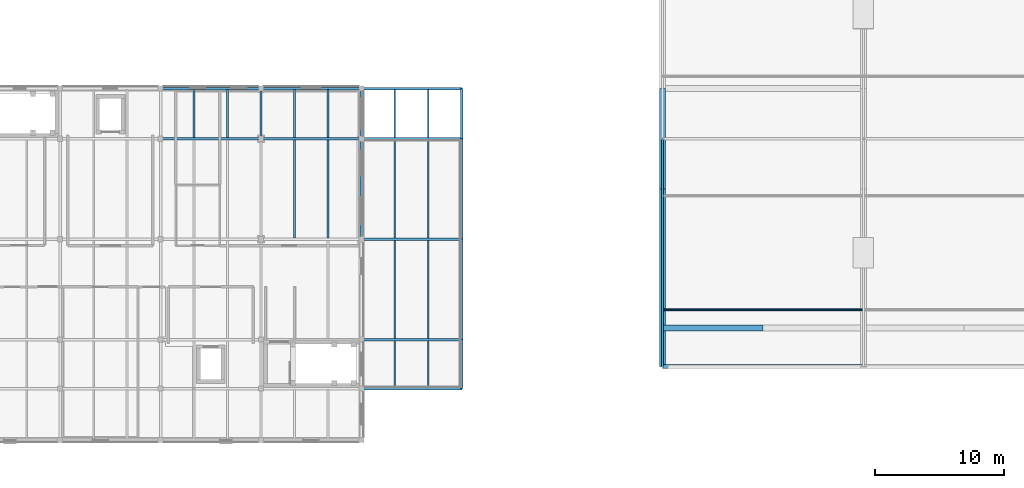
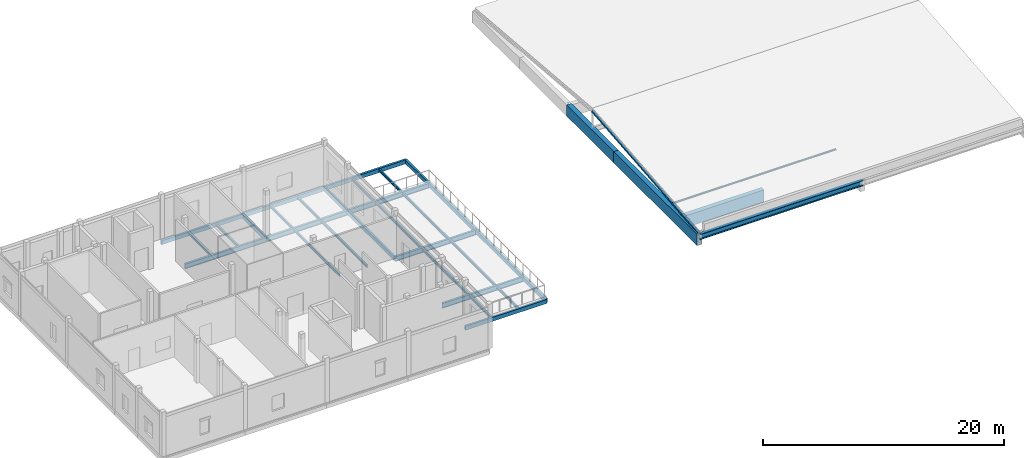
# One storey, part 3 of 45: 34 beams, 2 members.
"""IFC4 building model written with IfcOpenShell, lengths in metres."""

from ifc_helpers import new_model, si_unit, direction, frame, origin, origin_2d, place, context, subcontext, project, spatial, hollow_rectangle, hollow_circle, i_section, extrude, material, material_profile, profile_set, type_object, element, save


model = new_model("IFC4")

# Units and contexts
model_context = context("Model", 3, precision=1e-05, world=origin(), true_north=direction((0.0, 1.0)))
body_context = subcontext(model_context, "Body", "Model", "MODEL_VIEW")
ifc_project = project(units=[si_unit("LENGTHUNIT", "METRE"), si_unit("AREAUNIT", "SQUARE_METRE"), si_unit("VOLUMEUNIT", "CUBIC_METRE"), si_unit("PLANEANGLEUNIT", "RADIAN"), si_unit("MASSUNIT", "GRAM", prefix="KILO")], contexts=[model_context])

# Site, building, storey
site_placement = place(None, origin())
site = spatial("IfcSite", under=ifc_project, at=site_placement, CompositionType="ELEMENT")
building_placement = place(site_placement, origin())
building = spatial("IfcBuilding", under=site, at=building_placement, Name="Celorna Specialist Clinic", CompositionType="ELEMENT")
storey_placement = place(building_placement, frame((0.0, 0.0, 18.60009765625)))
storey = spatial("IfcBuildingStorey", under=building, at=storey_placement, Name="L04", CompositionType="ELEMENT", Elevation=18.60009765625)

# Beams
ifc_material = material(Name="Steel S355", Category="steel")
ifc_material_profile_1 = material_profile(ifc_material, hollow_rectangle(XDim=0.449951171875, YDim=1.14990234375, WallThickness=0.031982421875, at=origin_2d()), Name="BOX 450x1150x32")
ifc_profile_set_1 = profile_set([ifc_material_profile_1], Name="Steel S355")
beam_type_1 = type_object("IfcBeamType", Name="BM-01", PredefinedType="BEAM", material=ifc_profile_set_1)
beam_1_placement = place(storey_placement, frame((54.60009765625, 5.699951171875, -0.735107421875), z_axis=(0.0, 1.0, 0.0), x_axis=(-1.0, 0.0, 0.0)))
element("IfcBeam", 1, at=beam_1_placement, inside=storey, type_object=beam_type_1, Name="Cantilever Pratt truss chord WP-011-WP-012", PredefinedType="BEAM", context=body_context, shape_type="SweptSolid", body=[
    extrude(hollow_rectangle(XDim=0.449951171875, YDim=1.14990234375, WallThickness=0.031982421875, at=origin_2d()), origin(), (0.0, 0.0, 1.0), 13.800048828125),
])
beam_2_placement = place(storey_placement, frame((54.60009765625, 19.5, -0.735107421875), z_axis=(0.0, 1.0, 0.0), x_axis=(-1.0, 0.0, 0.0)))
element("IfcBeam", 2, at=beam_2_placement, inside=storey, type_object=beam_type_1, Name="Cantilever Pratt truss chord WP-012-WP-013", PredefinedType="BEAM", context=body_context, shape_type="SweptSolid", body=[
    extrude(hollow_rectangle(XDim=0.449951171875, YDim=1.14990234375, WallThickness=0.031982421875, at=origin_2d()), origin(), (0.0, 0.0, 1.0), 7.800048828125),
])
ifc_material_profile_2 = material_profile(ifc_material, hollow_rectangle(XDim=0.449951171875, YDim=1.199951171875, WallThickness=0.031982421875, at=origin_2d()), Name="BOX 450x1200x32")
ifc_profile_set_2 = profile_set([ifc_material_profile_2], Name="Steel S355")
beam_type_2 = type_object("IfcBeamType", Name="BM-02", PredefinedType="BEAM", material=ifc_profile_set_2)
beam_3_placement = place(storey_placement, frame((54.60009765625, 8.699951171875, -0.760009765625), z_axis=(1.0, 0.0, 0.0), x_axis=(0.0, 1.0, 0.0)))
element("IfcBeam", 3, at=beam_3_placement, inside=storey, type_object=beam_type_2, Name="Portico transfer box girder BM-02 #11", PredefinedType="BEAM", context=body_context, shape_type="SweptSolid", body=[
    extrude(hollow_rectangle(XDim=0.449951171875, YDim=1.199951171875, WallThickness=0.031982421875, at=origin_2d()), origin(), (0.0, 0.0, 1.0), 7.7998046875),
])
ifc_material_profile_3 = material_profile(ifc_material, i_section(OverallWidth=0.300048828125, OverallDepth=0.550048828125, WebThickness=0.014892578125, FlangeThickness=0.029052734375, at=origin_2d()), Name="HE 550 B")
ifc_profile_set_3 = profile_set([ifc_material_profile_3], Name="Steel S355")
beam_type_3 = type_object("IfcBeamType", Name="BM-04", PredefinedType="BEAM", material=ifc_profile_set_3)
beam_4_placement = place(storey_placement, frame((54.60009765625, 5.699951171875, -0.43505859375), z_axis=(1.0, 0.0, 0.0), x_axis=(0.0, 1.0, 0.0)))
element("IfcBeam", 4, at=beam_4_placement, inside=storey, type_object=beam_type_3, Name="Cantilever nose edge girder BM-04 #5", PredefinedType="BEAM", context=body_context, shape_type="SweptSolid", body=[
    extrude(i_section(OverallWidth=0.300048828125, OverallDepth=0.550048828125, WebThickness=0.014892578125, FlangeThickness=0.029052734375, at=origin_2d()), origin(), (0.0, 0.0, 1.0), 15.599853515625),
])
ifc_material_profile_4 = material_profile(ifc_material, i_section(OverallWidth=0.199951171875, OverallDepth=0.5, WebThickness=0.01025390625, FlangeThickness=0.01611328125, at=origin_2d()), Name="IPE 500")
ifc_profile_set_4 = profile_set([ifc_material_profile_4], Name="Steel S355")
beam_type_4 = type_object("IfcBeamType", Name="BM-08", PredefinedType="BEAM", material=ifc_profile_set_4)
beam_5_placement = place(storey_placement, frame((15.60009765625, 23.39990234375, -0.530029296875), z_axis=(1.0, 0.0, 0.0), x_axis=(0.0, 1.0, 0.0)))
element("IfcBeam", 5, at=beam_5_placement, inside=storey, type_object=beam_type_4, Name="Primary girder BM-08 #1948", PredefinedType="BEAM", context=body_context, shape_type="SweptSolid", body=[
    extrude(i_section(OverallWidth=0.199951171875, OverallDepth=0.5, WebThickness=0.01025390625, FlangeThickness=0.01611328125, at=origin_2d()), origin(), (0.0, 0.0, 1.0), 7.7998046875),
])
for number, where, z_axis, x_axis, name in (
    (6, (23.39990234375, 23.39990234375, -0.530029296875), (1.0, 0.0, 0.0), (0.0, 1.0, 0.0), "Primary girder BM-08 #1949"),
    (7, (31.199951171875, 7.800048828125, -0.510009765625), (1.0, 0.0, 0.0), (0.0, 1.0, 0.0), "Primary girder BM-08 #2392"),
    (8, (31.199951171875, 15.60009765625, -0.510009765625), (1.0, 0.0, 0.0), (0.0, 1.0, 0.0), "Primary girder BM-08 #2393"),
    (9, (31.199951171875, 23.39990234375, -0.510009765625), (1.0, 0.0, 0.0), (0.0, 1.0, 0.0), "Primary girder BM-08 #2394"),
):
    element("IfcBeam", number, at=place(storey_placement, frame(where, z_axis=z_axis, x_axis=x_axis)), inside=storey, type_object=beam_type_4, Name=name, PredefinedType="BEAM", context=body_context, shape_type="SweptSolid", body=[
        extrude(i_section(OverallWidth=0.199951171875, OverallDepth=0.5, WebThickness=0.01025390625, FlangeThickness=0.01611328125, at=origin_2d()), origin(), (0.0, 0.0, 1.0), 7.800048828125),
    ])
ifc_material_profile_5 = material_profile(ifc_material, i_section(OverallWidth=0.18994140625, OverallDepth=0.449951171875, WebThickness=0.009521484375, FlangeThickness=0.0146484375, at=origin_2d()), Name="IPE 450")
ifc_profile_set_5 = profile_set([ifc_material_profile_5], Name="Steel S355")
beam_type_5 = type_object("IfcBeamType", Name="BM-09", PredefinedType="BEAM", material=ifc_profile_set_5)
beam_6_placement = place(storey_placement, frame((23.39990234375, 23.39990234375, -0.505126953125), z_axis=(0.0, 1.0, 0.0), x_axis=(-1.0, 0.0, 0.0)))
element("IfcBeam", 10, at=beam_6_placement, inside=storey, type_object=beam_type_5, Name="Transverse girder BM-09 #1973", PredefinedType="BEAM", context=body_context, shape_type="SweptSolid", body=[
    extrude(i_section(OverallWidth=0.18994140625, OverallDepth=0.449951171875, WebThickness=0.009521484375, FlangeThickness=0.0146484375, at=origin_2d()), origin(), (0.0, 0.0, 1.0), 3.900146484375),
])
ifc_material_profile_6 = material_profile(ifc_material, i_section(OverallWidth=0.135009765625, OverallDepth=0.27001953125, WebThickness=0.006591796875, FlangeThickness=0.01025390625, at=origin_2d()), Name="IPE 270")
ifc_profile_set_6 = profile_set([ifc_material_profile_6], Name="Steel S355")
beam_type_6 = type_object("IfcBeamType", Name="BM-14", PredefinedType="JOIST", material=ifc_profile_set_6)
for number, where, z_axis, x_axis, name in (
    (11, (18.199951171875, 23.488037109375, -0.4150390625), (0.0, 1.0, 0.0), (-1.0, 0.0, 0.0), "Secondary floor joist BM-14 #2005"),
    (12, (20.800048828125, 23.488037109375, -0.4150390625), (0.0, 1.0, 0.0), (-1.0, 0.0, 0.0), "Secondary floor joist BM-14 #2006"),
):
    element("IfcBeam", number, at=place(storey_placement, frame(where, z_axis=z_axis, x_axis=x_axis)), inside=storey, type_object=beam_type_6, Name=name, PredefinedType="JOIST", context=body_context, shape_type="SweptSolid", body=[
        extrude(i_section(OverallWidth=0.135009765625, OverallDepth=0.27001953125, WebThickness=0.006591796875, FlangeThickness=0.01025390625, at=origin_2d()), origin(), (0.0, 0.0, 1.0), 3.723876953125),
    ])
for number, where, z_axis, x_axis, name in (
    (13, (26.0, 15.68798828125, -0.4150390625), (0.0, 1.0, 0.0), (-1.0, 0.0, 0.0), "Secondary floor joist BM-14 #2010"),
    (14, (28.60009765625, 15.68798828125, -0.4150390625), (0.0, 1.0, 0.0), (-1.0, 0.0, 0.0), "Secondary floor joist BM-14 #2011"),
):
    element("IfcBeam", number, at=place(storey_placement, frame(where, z_axis=z_axis, x_axis=x_axis)), inside=storey, type_object=beam_type_6, Name=name, PredefinedType="JOIST", context=body_context, shape_type="SweptSolid", body=[
        extrude(i_section(OverallWidth=0.135009765625, OverallDepth=0.27001953125, WebThickness=0.006591796875, FlangeThickness=0.01025390625, at=origin_2d()), origin(), (0.0, 0.0, 1.0), 7.6240234375),
    ])
for number, where, z_axis, x_axis, name in (
    (15, (26.0, 23.488037109375, -0.4150390625), (0.0, 1.0, 0.0), (-1.0, 0.0, 0.0), "Secondary floor joist BM-14 #2012"),
    (16, (28.60009765625, 23.488037109375, -0.4150390625), (0.0, 1.0, 0.0), (-1.0, 0.0, 0.0), "Secondary floor joist BM-14 #2013"),
):
    element("IfcBeam", number, at=place(storey_placement, frame(where, z_axis=z_axis, x_axis=x_axis)), inside=storey, type_object=beam_type_6, Name=name, PredefinedType="JOIST", context=body_context, shape_type="SweptSolid", body=[
        extrude(i_section(OverallWidth=0.135009765625, OverallDepth=0.27001953125, WebThickness=0.006591796875, FlangeThickness=0.01025390625, at=origin_2d()), origin(), (0.0, 0.0, 1.0), 3.723876953125),
    ])
for number, where, z_axis, x_axis, name in (
    (17, (33.800048828125, 4.087890625, -0.39501953125), (0.0, 1.0, 0.0), (-1.0, 0.0, 0.0), "Secondary floor joist BM-14 #2400"),
    (18, (36.39990234375, 4.087890625, -0.39501953125), (0.0, 1.0, 0.0), (-1.0, 0.0, 0.0), "Secondary floor joist BM-14 #2401"),
):
    element("IfcBeam", number, at=place(storey_placement, frame(where, z_axis=z_axis, x_axis=x_axis)), inside=storey, type_object=beam_type_6, Name=name, PredefinedType="JOIST", context=body_context, shape_type="SweptSolid", body=[
        extrude(i_section(OverallWidth=0.135009765625, OverallDepth=0.27001953125, WebThickness=0.006591796875, FlangeThickness=0.01025390625, at=origin_2d()), origin(), (0.0, 0.0, 1.0), 3.6240234375),
    ])
for number, where, z_axis, x_axis, name in (
    (19, (33.800048828125, 7.887939453125, -0.39501953125), (0.0, 1.0, 0.0), (-1.0, 0.0, 0.0), "Secondary floor joist BM-14 #2402"),
    (20, (36.39990234375, 7.887939453125, -0.39501953125), (0.0, 1.0, 0.0), (-1.0, 0.0, 0.0), "Secondary floor joist BM-14 #2403"),
    (21, (33.800048828125, 15.68798828125, -0.39501953125), (0.0, 1.0, 0.0), (-1.0, 0.0, 0.0), "Secondary floor joist BM-14 #2404"),
    (22, (36.39990234375, 15.68798828125, -0.39501953125), (0.0, 1.0, 0.0), (-1.0, 0.0, 0.0), "Secondary floor joist BM-14 #2405"),
):
    element("IfcBeam", number, at=place(storey_placement, frame(where, z_axis=z_axis, x_axis=x_axis)), inside=storey, type_object=beam_type_6, Name=name, PredefinedType="JOIST", context=body_context, shape_type="SweptSolid", body=[
        extrude(i_section(OverallWidth=0.135009765625, OverallDepth=0.27001953125, WebThickness=0.006591796875, FlangeThickness=0.01025390625, at=origin_2d()), origin(), (0.0, 0.0, 1.0), 7.6240234375),
    ])
for number, where, z_axis, x_axis, name in (
    (23, (33.800048828125, 23.488037109375, -0.39501953125), (0.0, 1.0, 0.0), (-1.0, 0.0, 0.0), "Secondary floor joist BM-14 #2406"),
    (24, (36.39990234375, 23.488037109375, -0.39501953125), (0.0, 1.0, 0.0), (-1.0, 0.0, 0.0), "Secondary floor joist BM-14 #2407"),
):
    element("IfcBeam", number, at=place(storey_placement, frame(where, z_axis=z_axis, x_axis=x_axis)), inside=storey, type_object=beam_type_6, Name=name, PredefinedType="JOIST", context=body_context, shape_type="SweptSolid", body=[
        extrude(i_section(OverallWidth=0.135009765625, OverallDepth=0.27001953125, WebThickness=0.006591796875, FlangeThickness=0.01025390625, at=origin_2d()), origin(), (0.0, 0.0, 1.0), 3.723876953125),
    ])
ifc_material_profile_7 = material_profile(ifc_material, hollow_rectangle(XDim=0.199951171875, YDim=0.39990234375, WallThickness=0.011962890625, at=origin_2d()), Name="RHS 200x400x12")
ifc_profile_set_7 = profile_set([ifc_material_profile_7], Name="Steel S355")
beam_type_7 = type_object("IfcBeamType", Name="BM-15", PredefinedType="SPANDREL", material=ifc_profile_set_7)
beam_7_placement = place(storey_placement, frame((15.60009765625, 27.300048828125, -0.47998046875), z_axis=(1.0, 0.0, 0.0), x_axis=(0.0, 1.0, 0.0)))
element("IfcBeam", 25, at=beam_7_placement, inside=storey, type_object=beam_type_7, Name="Spandrel beam BM-15 #1952", PredefinedType="SPANDREL", context=body_context, shape_type="SweptSolid", body=[
    extrude(hollow_rectangle(XDim=0.199951171875, YDim=0.39990234375, WallThickness=0.011962890625, at=origin_2d()), origin(), (0.0, 0.0, 1.0), 7.7998046875),
])
beam_8_placement = place(storey_placement, frame((23.39990234375, 27.300048828125, -0.47998046875), z_axis=(1.0, 0.0, 0.0), x_axis=(0.0, 1.0, 0.0)))
element("IfcBeam", 26, at=beam_8_placement, inside=storey, type_object=beam_type_7, Name="Spandrel beam BM-15 #1953", PredefinedType="SPANDREL", context=body_context, shape_type="SweptSolid", body=[
    extrude(hollow_rectangle(XDim=0.199951171875, YDim=0.39990234375, WallThickness=0.011962890625, at=origin_2d()), origin(), (0.0, 0.0, 1.0), 7.800048828125),
])
beam_9_placement = place(storey_placement, frame((31.199951171875, 15.60009765625, -0.47998046875), z_axis=(0.0, 1.0, 0.0), x_axis=(-1.0, 0.0, 0.0)))
element("IfcBeam", 27, at=beam_9_placement, inside=storey, type_object=beam_type_7, Name="Spandrel beam BM-15 #1977", PredefinedType="SPANDREL", context=body_context, shape_type="SweptSolid", body=[
    extrude(hollow_rectangle(XDim=0.199951171875, YDim=0.39990234375, WallThickness=0.011962890625, at=origin_2d()), origin(), (0.0, 0.0, 1.0), 7.7998046875),
])
beam_10_placement = place(storey_placement, frame((31.199951171875, 23.39990234375, -0.47998046875), z_axis=(0.0, 1.0, 0.0), x_axis=(-1.0, 0.0, 0.0)))
element("IfcBeam", 28, at=beam_10_placement, inside=storey, type_object=beam_type_7, Name="Spandrel beam BM-15 #1978", PredefinedType="SPANDREL", context=body_context, shape_type="SweptSolid", body=[
    extrude(hollow_rectangle(XDim=0.199951171875, YDim=0.39990234375, WallThickness=0.011962890625, at=origin_2d()), origin(), (0.0, 0.0, 1.0), 3.900146484375),
])
for number, where, z_axis, x_axis, name in (
    (29, (31.199951171875, 4.0, -0.460205078125), (1.0, 0.0, 0.0), (0.0, 1.0, 0.0), "Spandrel beam BM-15 #2391"),
    (30, (31.199951171875, 27.300048828125, -0.460205078125), (1.0, 0.0, 0.0), (0.0, 1.0, 0.0), "Spandrel beam BM-15 #2395"),
):
    element("IfcBeam", number, at=place(storey_placement, frame(where, z_axis=z_axis, x_axis=x_axis)), inside=storey, type_object=beam_type_7, Name=name, PredefinedType="SPANDREL", context=body_context, shape_type="SweptSolid", body=[
        extrude(hollow_rectangle(XDim=0.199951171875, YDim=0.39990234375, WallThickness=0.011962890625, at=origin_2d()), origin(), (0.0, 0.0, 1.0), 7.800048828125),
    ])
beam_11_placement = place(storey_placement, frame((39.0, 4.0, -0.460205078125), z_axis=(0.0, 1.0, 0.0), x_axis=(-1.0, 0.0, 0.0)))
element("IfcBeam", 31, at=beam_11_placement, inside=storey, type_object=beam_type_7, Name="Spandrel beam BM-15 #2396", PredefinedType="SPANDREL", context=body_context, shape_type="SweptSolid", body=[
    extrude(hollow_rectangle(XDim=0.199951171875, YDim=0.39990234375, WallThickness=0.011962890625, at=origin_2d()), origin(), (0.0, 0.0, 1.0), 3.800048828125),
])
beam_12_placement = place(storey_placement, frame((39.0, 7.800048828125, -0.460205078125), z_axis=(0.0, 1.0, 0.0), x_axis=(-1.0, 0.0, 0.0)))
element("IfcBeam", 32, at=beam_12_placement, inside=storey, type_object=beam_type_7, Name="Spandrel beam BM-15 #2397", PredefinedType="SPANDREL", context=body_context, shape_type="SweptSolid", body=[
    extrude(hollow_rectangle(XDim=0.199951171875, YDim=0.39990234375, WallThickness=0.011962890625, at=origin_2d()), origin(), (0.0, 0.0, 1.0), 7.800048828125),
])
beam_13_placement = place(storey_placement, frame((39.0, 15.60009765625, -0.460205078125), z_axis=(0.0, 1.0, 0.0), x_axis=(-1.0, 0.0, 0.0)))
element("IfcBeam", 33, at=beam_13_placement, inside=storey, type_object=beam_type_7, Name="Spandrel beam BM-15 #2398", PredefinedType="SPANDREL", context=body_context, shape_type="SweptSolid", body=[
    extrude(hollow_rectangle(XDim=0.199951171875, YDim=0.39990234375, WallThickness=0.011962890625, at=origin_2d()), origin(), (0.0, 0.0, 1.0), 7.7998046875),
])
beam_14_placement = place(storey_placement, frame((39.0, 23.39990234375, -0.460205078125), z_axis=(0.0, 1.0, 0.0), x_axis=(-1.0, 0.0, 0.0)))
element("IfcBeam", 34, at=beam_14_placement, inside=storey, type_object=beam_type_7, Name="Spandrel beam BM-15 #2399", PredefinedType="SPANDREL", context=body_context, shape_type="SweptSolid", body=[
    extrude(hollow_rectangle(XDim=0.199951171875, YDim=0.39990234375, WallThickness=0.011962890625, at=origin_2d()), origin(), (0.0, 0.0, 1.0), 3.900146484375),
])

# Members
ifc_material_profile_8 = material_profile(ifc_material, hollow_circle(Radius=0.096923828125, WallThickness=0.010009765625, at=origin_2d()), Name="CHS 193.7x10")
ifc_profile_set_8 = profile_set([ifc_material_profile_8], Name="Steel S355")
member_type_1 = type_object("IfcMemberType", Name="MB-04", PredefinedType="PURLIN", material=ifc_profile_set_8)
member_1_placement = place(storey_placement, frame((54.60009765625, 10.125, 0.225341796875), z_axis=(1.0, 0.0, 0.0), x_axis=(0.0, 1.0, 0.0)))
element("IfcMember", 35, at=member_1_placement, inside=storey, type_object=member_type_1, Name="Roof purlin WP-311-WP-312", PredefinedType="PURLIN", context=body_context, shape_type="SweptSolid", body=[
    extrude(hollow_circle(Radius=0.096923828125, WallThickness=0.010009765625, at=origin_2d()), origin(), (0.0, 0.0, 1.0), 15.599853515625),
])
ifc_material_profile_9 = material_profile(ifc_material, hollow_rectangle(XDim=0.159912109375, YDim=0.159912109375, WallThickness=0.010009765625, at=origin_2d()), Name="SHS 160x160x10")
ifc_profile_set_9 = profile_set([ifc_material_profile_9], Name="Steel S355")
member_type_2 = type_object("IfcMemberType", Name="MB-09", PredefinedType="CHORD", material=ifc_profile_set_9)
member_2_placement = place(storey_placement, frame((54.60009765625, 5.699951171875, -0.2021484375), z_axis=(0.0, 0.995577612747, 0.093942626089), x_axis=(-1.0, 0.0, 0.0)))
element("IfcMember", 36, at=member_2_placement, inside=storey, type_object=member_type_2, Name="Pitched roof rafter chord WP-305-WP-306", PredefinedType="CHORD", context=body_context, shape_type="SweptSolid", body=[
    extrude(hollow_rectangle(XDim=0.159912109375, YDim=0.159912109375, WallThickness=0.010009765625, at=origin_2d()), origin(), (0.0, 0.0, 1.0), 17.778564453125),
])

save(model, "model.ifc")
